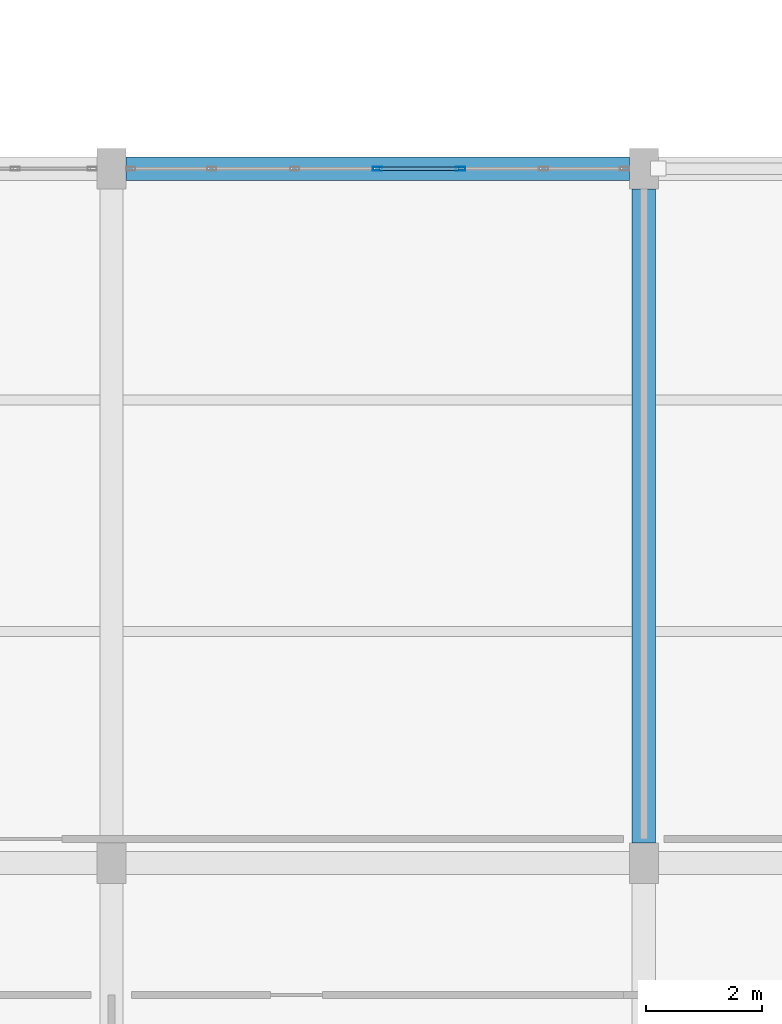
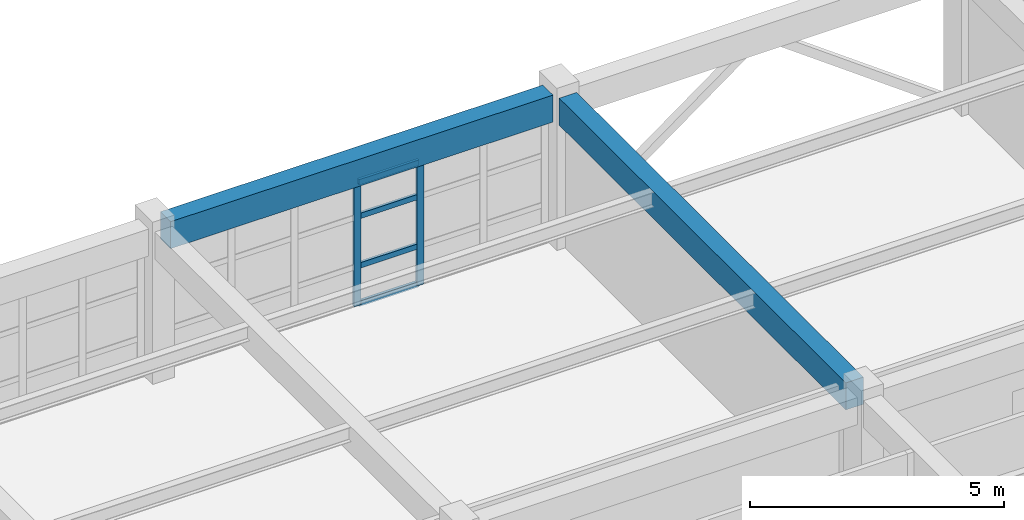
# One storey, part 27 of 150: 6 members, 2 beams, 1 element without a shape of its own.
"""IFC4 building model written with IfcOpenShell, lengths in metres."""

from ifc_helpers import new_model, si_unit, direction, frame, origin, origin_2d, place, context, subcontext, project, spatial, rectangle, hollow_rectangle, extrude, material, material_profile, profile_set, type_object, element, aggregate, save


model = new_model("IFC4")

# Units and contexts
model_context = context("Model", 3, precision=1e-05, world=origin(), true_north=direction((0.0, 1.0)))
body_context = subcontext(model_context, "Body", "Model", "MODEL_VIEW")
ifc_project = project(units=[si_unit("LENGTHUNIT", "METRE"), si_unit("AREAUNIT", "SQUARE_METRE"), si_unit("VOLUMEUNIT", "CUBIC_METRE"), si_unit("PLANEANGLEUNIT", "RADIAN"), si_unit("MASSUNIT", "GRAM", prefix="KILO")], contexts=[model_context])

# Site, building, storey
site_placement = place(None, origin())
site = spatial("IfcSite", under=ifc_project, at=site_placement, CompositionType="ELEMENT")
building_placement = place(site_placement, origin())
building = spatial("IfcBuilding", under=site, at=building_placement, Name="Kestramere Prow Commons", CompositionType="ELEMENT")
storey_placement = place(building_placement, frame((0.0, 0.0, 4.5)))
storey = spatial("IfcBuildingStorey", under=building, at=storey_placement, Name="L01", CompositionType="ELEMENT", Elevation=4.5)

# Beams
ifc_material_1 = material(Name="Precast concrete C40/50", Category="concrete")
ifc_material_profile_1 = material_profile(ifc_material_1, rectangle(XDim=0.39990234375, YDim=0.64990234375, at=origin_2d()), Name="PC-BM 400x650")
ifc_profile_set_1 = profile_set([ifc_material_profile_1], Name="Precast concrete C40/50")
beam_type_1 = type_object("IfcBeamType", Name="BM-MK-01 PC-BM 400x650", PredefinedType="BEAM", material=ifc_profile_set_1)
beam_1_placement = place(storey_placement, frame((85.0, 12.35009765625, 3.324951171875), z_axis=(0.0, 1.0, 0.0), x_axis=(-1.0, 0.0, 0.0)))
element("IfcBeam", 1, at=beam_1_placement, inside=storey, type_object=beam_type_1, Name="Market Spine L01 Beam Y 4-2", PredefinedType="BEAM", context=body_context, shape_type="SweptSolid", body=[
    extrude(rectangle(XDim=0.39990234375, YDim=0.64990234375, at=origin_2d()), origin(), (0.0, 0.0, 1.0), 11.2998046875),
])
ifc_material_profile_2 = material_profile(ifc_material_1, rectangle(XDim=0.39990234375, YDim=0.64990234375, at=origin_2d()), Name="PC-BM 400x650")
ifc_profile_set_2 = profile_set([ifc_material_profile_2], Name="Precast concrete C40/50")
beam_type_2 = type_object("IfcBeamType", Name="BM-MK-01 PC-BM 400x650 (EX)", PredefinedType="BEAM", material=ifc_profile_set_2)
beam_2_placement = place(storey_placement, frame((76.050048828125, 24.0, 3.324951171875), z_axis=(1.0, 0.0, 0.0), x_axis=(0.0, 1.0, 0.0)))
element("IfcBeam", 2, at=beam_2_placement, inside=storey, type_object=beam_type_2, Name="Market Spine L01 Beam X 3-3", PredefinedType="BEAM", context=body_context, shape_type="SweptSolid", body=[
    extrude(rectangle(XDim=0.39990234375, YDim=0.64990234375, at=origin_2d()), origin(), (0.0, 0.0, 1.0), 8.699951171875),
])

# Curtain wall, members
ifc_material_2 = material(Name="Anodised Aluminium and Low-E Glass", Category="aluminium")
curtain_wall_type = type_object("IfcCurtainWallType", Name="CW-25 Glazed Curtain Wall 8600x2990", PredefinedType="USERDEFINED", material=ifc_material_2)
curtain_wall_placement = place(storey_placement, origin())
curtain_wall = element("IfcCurtainWall", 3, at=curtain_wall_placement, inside=storey, type_object=curtain_wall_type, Name="Market L01 Courtyard Shopfront 3", ObjectType="GLAZED CURTAIN WALL", PredefinedType="USERDEFINED")
ifc_material_3 = material(Name="Anodised Aluminium 6063-T6", Category="aluminium")
ifc_material_profile_3 = material_profile(ifc_material_3, hollow_rectangle(XDim=0.06494140625, YDim=0.159912109375, WallThickness=0.00390625, at=origin_2d()), Name="ALU-MUL 65x160")
ifc_profile_set_3 = profile_set([ifc_material_profile_3], Name="Anodised Aluminium 6063-T6")
member_type_1 = type_object("IfcMemberType", Name="CW-MUL-65x160", PredefinedType="MULLION", material=ifc_profile_set_3)
member_1_placement = place(storey_placement, frame((80.39990234375, 24.0, 0.0), z_axis=(0.0, 0.0, 1.0), x_axis=(0.0, 1.0, 0.0)))
member_1 = element("IfcMember", 4, at=member_1_placement, type_object=member_type_1, Name="CW-25 mullion 4", PredefinedType="MULLION", context=body_context, shape_type="SweptSolid", body=[
    extrude(hollow_rectangle(XDim=0.06494140625, YDim=0.159912109375, WallThickness=0.00390625, at=origin_2d()), origin(), (0.0, 0.0, 1.0), 2.989990234375),
])
member_2_placement = place(storey_placement, frame((81.833251953125, 24.0, 0.0), z_axis=(0.0, 0.0, 1.0), x_axis=(0.0, 1.0, 0.0)))
member_2 = element("IfcMember", 5, at=member_2_placement, type_object=member_type_1, Name="CW-25 mullion 5", PredefinedType="MULLION", context=body_context, shape_type="SweptSolid", body=[
    extrude(hollow_rectangle(XDim=0.06494140625, YDim=0.159912109375, WallThickness=0.00390625, at=origin_2d()), origin(), (0.0, 0.0, 1.0), 2.989990234375),
])
ifc_material_profile_4 = material_profile(ifc_material_3, hollow_rectangle(XDim=0.06494140625, YDim=0.1298828125, WallThickness=0.00390625, at=origin_2d()), Name="ALU-TRN 65x130")
ifc_profile_set_4 = profile_set([ifc_material_profile_4], Name="Anodised Aluminium 6063-T6")
member_type_2 = type_object("IfcMemberType", Name="CW-TRN-65x130", PredefinedType="USERDEFINED", material=ifc_profile_set_4)
member_3_placement = place(storey_placement, frame((80.4326171875, 24.0, 0.032470703125), z_axis=(1.0, 0.0, 0.0), x_axis=(0.0, 1.0, 0.0)))
member_3 = element("IfcMember", 6, at=member_3_placement, type_object=member_type_2, Name="CW-25 transom 4.1", ObjectType="TRANSOM", PredefinedType="USERDEFINED", context=body_context, shape_type="SweptSolid", body=[
    extrude(hollow_rectangle(XDim=0.06494140625, YDim=0.1298828125, WallThickness=0.00390625, at=origin_2d()), origin(), (0.0, 0.0, 1.0), 1.3681640625),
])
member_4_placement = place(storey_placement, frame((80.4326171875, 24.0, 0.949951171875), z_axis=(1.0, 0.0, 0.0), x_axis=(0.0, 1.0, 0.0)))
member_4 = element("IfcMember", 7, at=member_4_placement, type_object=member_type_2, Name="CW-25 transom 4.2", ObjectType="TRANSOM", PredefinedType="USERDEFINED", context=body_context, shape_type="SweptSolid", body=[
    extrude(hollow_rectangle(XDim=0.06494140625, YDim=0.1298828125, WallThickness=0.00390625, at=origin_2d()), origin(), (0.0, 0.0, 1.0), 1.3681640625),
])
member_5_placement = place(storey_placement, frame((80.4326171875, 24.0, 2.139892578125), z_axis=(1.0, 0.0, 0.0), x_axis=(0.0, 1.0, 0.0)))
member_5 = element("IfcMember", 8, at=member_5_placement, type_object=member_type_2, Name="CW-25 transom 4.3", ObjectType="TRANSOM", PredefinedType="USERDEFINED", context=body_context, shape_type="SweptSolid", body=[
    extrude(hollow_rectangle(XDim=0.06494140625, YDim=0.1298828125, WallThickness=0.00390625, at=origin_2d()), origin(), (0.0, 0.0, 1.0), 1.3681640625),
])
member_6_placement = place(storey_placement, frame((80.4326171875, 24.0, 2.95751953125), z_axis=(1.0, 0.0, 0.0), x_axis=(0.0, 1.0, 0.0)))
member_6 = element("IfcMember", 9, at=member_6_placement, type_object=member_type_2, Name="CW-25 transom 4.4", ObjectType="TRANSOM", PredefinedType="USERDEFINED", context=body_context, shape_type="SweptSolid", body=[
    extrude(hollow_rectangle(XDim=0.06494140625, YDim=0.1298828125, WallThickness=0.00390625, at=origin_2d()), origin(), (0.0, 0.0, 1.0), 1.3681640625),
])
aggregate(curtain_wall, [member_1, member_2, member_3, member_4, member_5, member_6])

save(model, "model.ifc")
